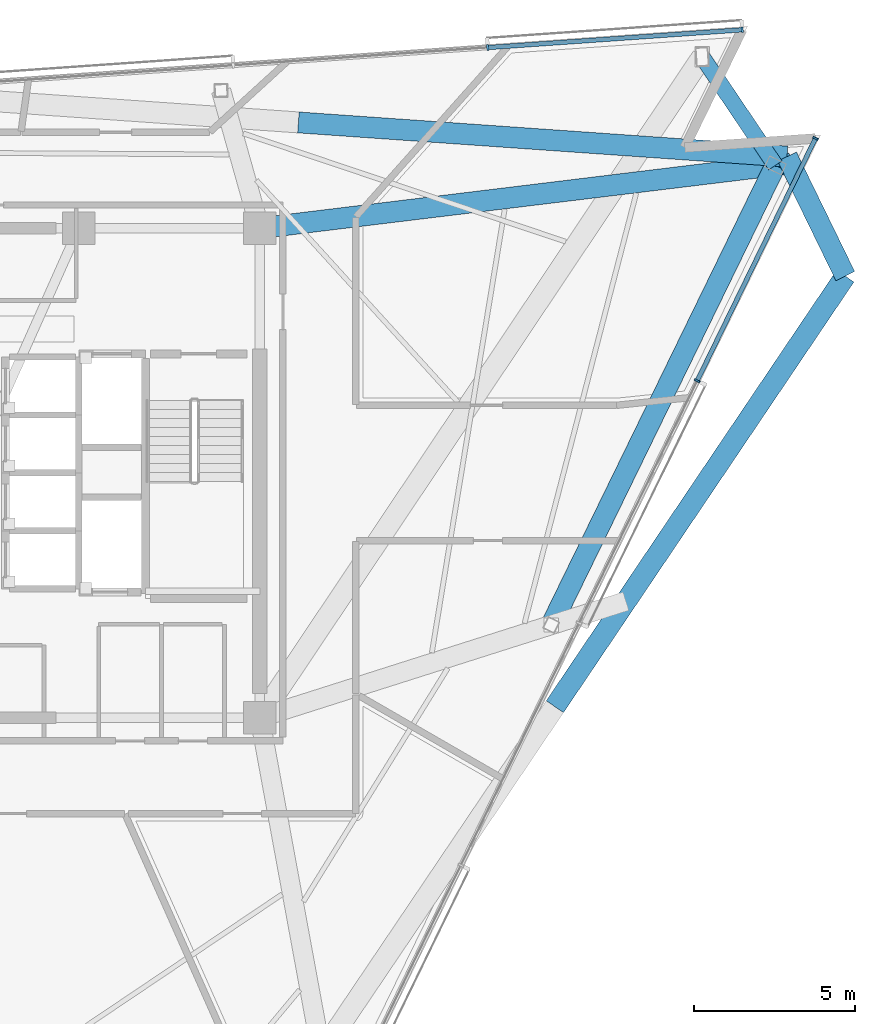
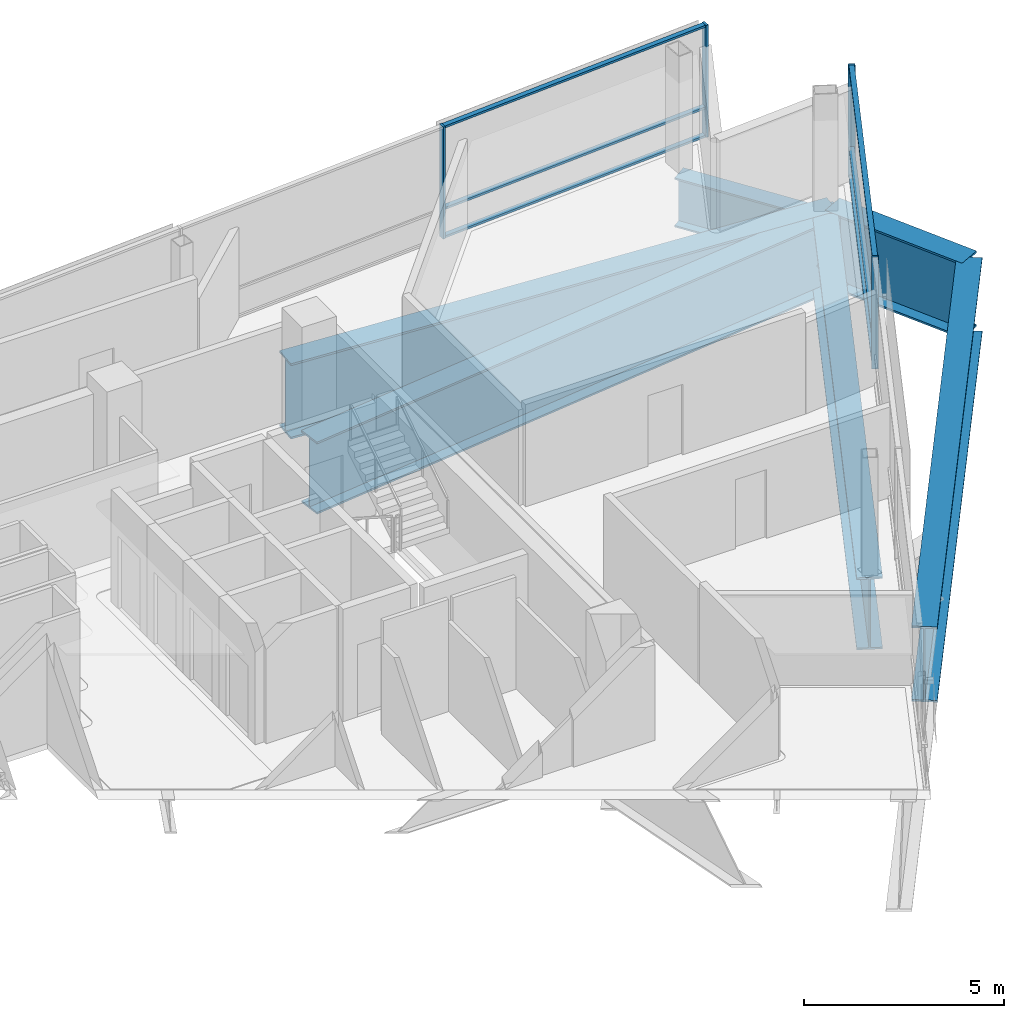
# One storey, part 8 of 17: 10 members, 6 beams, 2 elements without a shape of their own.
"""IFC4 building model written with IfcOpenShell, lengths in metres."""

import ifcopenshell
import ifcopenshell.guid

model = None  # the IFC model being written
_history = None  # IfcOwnerHistory: only IFC2X3 demands one
_inside = {}  # id of a spatial element -> (the spatial element, [elements in it])
_under = {}  # id of a project, library or spatial element -> (it, [spatial elements below it])
_declared = {}  # id of a project -> (the project, [libraries it declares])
_typed = {}  # id of a type object -> (the type object, [elements of that type])
_made_of = {}  # id of a material, layer set ... -> (it, [elements and type objects made of it])


def new_model(schema):
    """Start an empty IFC model of exactly this schema.

    Asked for "IFC4X3", IfcOpenShell would pick the latest addendum, in which some entities
    have other attributes; the version numbers below select the first issue.
    IFC2X3 requires an IfcOwnerHistory on every rooted entity: one is made here for all.
    """
    global model, _history
    if schema == "IFC4X3":
        model = ifcopenshell.file(schema_version=(4, 3, 0, 0))
    else:
        model = ifcopenshell.file(schema=schema)
    _inside.clear()
    _under.clear()
    _declared.clear()
    _typed.clear()
    _made_of.clear()
    _history = None
    if model.schema == "IFC2X3":
        org = make("IfcOrganization", Name="unknown")
        user = make(
            "IfcPersonAndOrganization",
            ThePerson=make("IfcPerson", FamilyName="unknown"),
            TheOrganization=org,
        )
        app = make(
            "IfcApplication",
            ApplicationDeveloper=org,
            Version="unknown",
            ApplicationFullName="unknown",
            ApplicationIdentifier="unknown",
        )
        _history = make(
            "IfcOwnerHistory",
            OwningUser=user,
            OwningApplication=app,
            ChangeAction="ADDED",
            CreationDate=0,
        )
    return model


def make(cls, **values):
    """One entity of the class cls with the attributes given. An attribute that is None is left unset."""
    return model.create_entity(
        cls, **{name: value for name, value in values.items() if value is not None}
    )


def rooted(cls, **values):
    """An entity with a GlobalId (a new one), such as an element, a storey or a relation."""
    return make(cls, GlobalId=ifcopenshell.guid.new(), OwnerHistory=_history, **values)


def si_unit(unit_type, name, prefix=None):
    """IfcSIUnit, for example si_unit("LENGTHUNIT", "METRE", prefix="MILLI")."""
    return make("IfcSIUnit", UnitType=unit_type, Prefix=prefix, Name=name)


def assignment(units):
    """IfcUnitAssignment: the units of a project."""
    return None if units is None else make("IfcUnitAssignment", Units=units)


def point(xyz):
    """IfcCartesianPoint."""
    return None if xyz is None else make("IfcCartesianPoint", Coordinates=xyz)


def direction(xyz):
    """IfcDirection."""
    return None if xyz is None else make("IfcDirection", DirectionRatios=xyz)


def frame(location, z_axis=None, x_axis=None):
    """IfcAxis2Placement3D, a coordinate frame: its origin and axes. An axis left out is left unset."""
    return make(
        "IfcAxis2Placement3D",
        Location=point(location),
        Axis=direction(z_axis),
        RefDirection=direction(x_axis),
    )


def frame_2d(location, x_axis=None):
    """IfcAxis2Placement2D, a coordinate frame in the plane: its origin and x axis."""
    return make(
        "IfcAxis2Placement2D", Location=point(location), RefDirection=direction(x_axis)
    )


def origin():
    """The frame at (0, 0, 0) with its axes left unset."""
    return frame((0.0, 0.0, 0.0))


def origin_2d():
    """The frame at (0, 0) in the plane with its x axis left unset."""
    return frame_2d((0.0, 0.0))


def place(relative_to, where):
    """IfcLocalPlacement: puts the frame where relative to a parent placement (None: the world)."""
    return make(
        "IfcLocalPlacement", PlacementRelTo=relative_to, RelativePlacement=where
    )


def context(
    kind, dimensions, precision=None, world=None, true_north=None, identifier=None
):
    """IfcGeometricRepresentationContext, for example the 3D "Model" context."""
    return make(
        "IfcGeometricRepresentationContext",
        ContextIdentifier=identifier,
        ContextType=kind,
        CoordinateSpaceDimension=dimensions,
        Precision=precision,
        WorldCoordinateSystem=world,
        TrueNorth=true_north,
    )


def subcontext(parent, identifier, kind, view, scale=None):
    """IfcGeometricRepresentationSubContext, for example "Body" below "Model"."""
    return make(
        "IfcGeometricRepresentationSubContext",
        ContextIdentifier=identifier,
        ContextType=kind,
        ParentContext=parent,
        TargetScale=scale,
        TargetView=view,
    )


def project(units=None, contexts=None):
    """IfcProject with its units and contexts."""
    return rooted(
        "IfcProject",
        Name="project",
        RepresentationContexts=contexts,
        UnitsInContext=assignment(units),
    )


def spatial(cls, under=None, at=None, **own):
    """A site, building, storey or space (cls), placed at a placement, below another one or the project."""
    s = rooted(cls, ObjectPlacement=at, **own)
    if under is not None:
        _under.setdefault(under.id(), (under, []))[1].append(s)
    return s


def profile(cls, at=None, kind="AREA", **sizes):
    """A parametric profile (cls). Its sizes go by their IFC names, for example OverallWidth=200.0."""
    return make(cls, ProfileType=kind, Position=at, **sizes)


def rectangle(**sizes):
    """IfcRectangleProfileDef."""
    return profile("IfcRectangleProfileDef", **sizes)


def i_section(**sizes):
    """IfcIShapeProfileDef."""
    return profile("IfcIShapeProfileDef", **sizes)


def extrude(swept, where, along, depth):
    """IfcExtrudedAreaSolid: the profile swept, set in the frame where, extruded along a direction by depth."""
    return make(
        "IfcExtrudedAreaSolid",
        SweptArea=swept,
        Position=where,
        ExtrudedDirection=direction(along),
        Depth=depth,
    )


def shape(context_of_items, identifier, shape_type, items):
    """IfcShapeRepresentation: the items that make up one representation, for example the "Body"."""
    return make(
        "IfcShapeRepresentation",
        ContextOfItems=context_of_items,
        RepresentationIdentifier=identifier,
        RepresentationType=shape_type,
        Items=items,
    )


def material(Name=None, Category=None):
    """IfcMaterial."""
    return make("IfcMaterial", Name=Name, Category=Category)


def layer(
    of_material, thickness, ventilated=None, Name=None, Category=None, Priority=None
):
    """IfcMaterialLayer: one layer of a wall or slab, of a material (None: an air gap)."""
    return make(
        "IfcMaterialLayer",
        Material=of_material,
        LayerThickness=thickness,
        IsVentilated=ventilated,
        Name=Name,
        Category=Category,
        Priority=Priority,
    )


def layer_set(layers, Name=None):
    """IfcMaterialLayerSet."""
    return make("IfcMaterialLayerSet", MaterialLayers=layers, LayerSetName=Name)


def material_profile(
    of_material, cross_section, Name=None, Category=None, Priority=None
):
    """IfcMaterialProfile: a cross section and its material."""
    return make(
        "IfcMaterialProfile",
        Name=Name,
        Material=of_material,
        Profile=cross_section,
        Priority=Priority,
        Category=Category,
    )


def profile_set(profiles, Name=None, composite=None):
    """IfcMaterialProfileSet."""
    return make(
        "IfcMaterialProfileSet",
        Name=Name,
        MaterialProfiles=profiles,
        CompositeProfile=composite,
    )


def made_of(thing, what):
    """Note that an element or type object is made of a material, layer set ...; save() writes the relation."""
    if what is not None:
        _made_of.setdefault(what.id(), (what, []))[1].append(thing)
    return thing


def type_object(cls, material=None, **own):
    """A type object (cls), such as IfcWallType, which elements share."""
    return made_of(rooted(cls, **own), material)


def element(
    cls,
    number,
    at=None,
    inside=None,
    cuts=None,
    type_object=None,
    material=None,
    context=None,
    identifier="Body",
    shape_type=None,
    held_by="IfcProductDefinitionShape",
    body=None,
    shapes=None,
    **own,
):
    """One element of the class cls, such as IfcWall. Its Tag is "e" and its number.

    at: its placement. inside: the storey or other place that contains it. cuts: it is an
    opening in that element (IfcRelVoidsElement). A single representation is given by context,
    identifier, shape_type and body (its items); several are given by shapes. held_by: the class
    of the entity that holds the representations. save() writes the other relations.
    """
    e = rooted(cls, Tag="e%d" % number, ObjectPlacement=at, **own)
    if body is not None:
        shapes = [shape(context, identifier, shape_type, body)]
    if shapes is not None:
        e.Representation = make(held_by, Representations=shapes)
    if inside is not None:
        _inside.setdefault(inside.id(), (inside, []))[1].append(e)
    if cuts is not None:
        rooted(
            "IfcRelVoidsElement", RelatingBuildingElement=cuts, RelatedOpeningElement=e
        )
    if type_object is not None:
        _typed.setdefault(type_object.id(), (type_object, []))[1].append(e)
    return made_of(e, material)


def aggregate(whole, parts):
    """IfcRelAggregates: a whole, such as a stair, and the parts it consists of."""
    return rooted("IfcRelAggregates", RelatingObject=whole, RelatedObjects=parts)


def save(model, path):
    """Write the relations noted so far, then the file.

    IfcRelAggregates (storeys below a building ...), IfcRelContainedInSpatialStructure (elements
    in a storey), IfcRelDefinesByType, IfcRelAssociatesMaterial and IfcRelDeclares: one each for
    every whole, place, type object, material and project.
    """
    for whole, parts in _under.values():
        aggregate(whole, parts)
    for where, things in _inside.values():
        rooted(
            "IfcRelContainedInSpatialStructure",
            RelatedElements=things,
            RelatingStructure=where,
        )
    for kind, things in _typed.values():
        rooted("IfcRelDefinesByType", RelatedObjects=things, RelatingType=kind)
    for what, things in _made_of.values():
        rooted("IfcRelAssociatesMaterial", RelatedObjects=things, RelatingMaterial=what)
    for by, libraries in _declared.values():
        rooted("IfcRelDeclares", RelatingContext=by, RelatedDefinitions=libraries)
    model.write(path)


model = new_model("IFC4")

# Units and contexts
model_context = context("Model", 3, precision=1e-05, world=origin(), true_north=direction((0.0, 1.0)))
body_context = subcontext(model_context, "Body", "Model", "MODEL_VIEW")
ifc_project = project(units=[si_unit("LENGTHUNIT", "METRE"), si_unit("AREAUNIT", "SQUARE_METRE"), si_unit("VOLUMEUNIT", "CUBIC_METRE"), si_unit("PLANEANGLEUNIT", "RADIAN"), si_unit("MASSUNIT", "GRAM", prefix="KILO")], contexts=[model_context])

# Site, building, storey
site_placement = place(None, origin())
site = spatial("IfcSite", under=ifc_project, at=site_placement, CompositionType="ELEMENT")
building_placement = place(site_placement, origin())
building = spatial("IfcBuilding", under=site, at=building_placement, Name="Tharavind Bronze Gate", CompositionType="ELEMENT")
storey_placement = place(building_placement, frame((0.0, 0.0, 253.39990234375)))
storey = spatial("IfcBuildingStorey", under=building, at=storey_placement, Name="L65", CompositionType="ELEMENT", Elevation=253.39990234375)

# Curtain wall, members
ifc_material_1 = material(Name="Anodised Bronze Aluminium", Category="aluminium")
ifc_layer = layer(ifc_material_1, 0.219970703125)
ifc_layer_set = layer_set([ifc_layer], Name="Anodised Bronze Aluminium")
curtain_wall_type = type_object("IfcCurtainWallType", Name="UNITISED CURTAIN WALL UPPER OFFICE", PredefinedType="USERDEFINED", material=ifc_layer_set)
curtain_wall_1_placement = place(storey_placement, origin())
curtain_wall_1 = element("IfcCurtainWall", 1, at=curtain_wall_1_placement, inside=storey, type_object=curtain_wall_type, Name="L65 unitised curtain wall upper office CW-L65-S2", ObjectType="UNITISED CURTAIN WALL", PredefinedType="USERDEFINED")
member_type_1 = type_object("IfcMemberType", Name="CURTAIN WALL BRONZE MULLION 65X180", PredefinedType="MULLION", material=ifc_material_1)
member_1_placement = place(storey_placement, frame((22.485107421875, 2.863525390625, 0.000244140625), z_axis=(0.0, 0.0, 1.0), x_axis=(0.43837271548, 0.898793281196, 0.0)))
member_1 = element("IfcMember", 2, at=member_1_placement, type_object=member_type_1, Name="CW-L65-S2 mullion 6", PredefinedType="MULLION", context=body_context, shape_type="SweptSolid", body=[
    extrude(rectangle(XDim=0.06494140625, YDim=0.179931640625, at=origin_2d()), origin(), (0.0, 0.0, 1.0), 3.419921875),
])
member_2_placement = place(storey_placement, frame((26.1552734375, 10.388427734375, 0.000244140625), z_axis=(0.0, 0.0, 1.0), x_axis=(0.43837271548, 0.898793281196, 0.0)))
member_2 = element("IfcMember", 3, at=member_2_placement, type_object=member_type_1, Name="CW-L65-S2 mullion 7", PredefinedType="MULLION", context=body_context, shape_type="SweptSolid", body=[
    extrude(rectangle(XDim=0.06494140625, YDim=0.179931640625, at=origin_2d()), origin(), (0.0, 0.0, 1.0), 3.419921875),
])

curtain_wall_2_placement = place(storey_placement, origin())
curtain_wall_2 = element("IfcCurtainWall", 4, at=curtain_wall_2_placement, inside=storey, type_object=curtain_wall_type, Name="L65 unitised curtain wall upper office CW-L65-S3", ObjectType="UNITISED CURTAIN WALL", PredefinedType="USERDEFINED")
member_3_placement = place(storey_placement, frame((23.880615234375, 13.760986328125, 0.000244140625), z_axis=(0.0, 0.0, 1.0), x_axis=(-0.997563806758, -0.069759955899, 0.0)))
member_3 = element("IfcMember", 5, at=member_3_placement, type_object=member_type_1, Name="CW-L65-S3 mullion 1", PredefinedType="MULLION", context=body_context, shape_type="SweptSolid", body=[
    extrude(rectangle(XDim=0.06494140625, YDim=0.179931640625, at=origin_2d()), origin(), (0.0, 0.0, 1.0), 3.419921875),
])
member_4_placement = place(storey_placement, frame((15.9794921875, 13.20849609375, 0.000244140625), z_axis=(0.0, 0.0, 1.0), x_axis=(-0.997563806758, -0.069759955899, 0.0)))
member_4 = element("IfcMember", 6, at=member_4_placement, type_object=member_type_1, Name="CW-L65-S3 mullion 2", PredefinedType="MULLION", context=body_context, shape_type="SweptSolid", body=[
    extrude(rectangle(XDim=0.06494140625, YDim=0.179931640625, at=origin_2d()), origin(), (0.0, 0.0, 1.0), 3.419921875),
])

# Member
member_type_2 = type_object("IfcMemberType", Name="CURTAIN WALL BRONZE TRANSOM 65X140", PredefinedType="USERDEFINED", material=ifc_material_1)
member_5_placement = place(storey_placement, frame((24.3203125, 6.6259765625, 0.000244140625), z_axis=(0.0, 0.0, 1.0), x_axis=(0.43837271548, 0.898793281196, 0.0)))
member_5 = element("IfcMember", 7, at=member_5_placement, type_object=member_type_2, Name="CW-L65-S2 transom TB6", ObjectType="TRANSOM", PredefinedType="USERDEFINED", context=body_context, shape_type="SweptSolid", body=[
    extrude(rectangle(XDim=8.3193359375, YDim=0.139892578125, at=origin_2d()), origin(), (0.0, 0.0, 1.0), 0.06494140625),
])

member_6_placement = place(storey_placement, frame((24.3203125, 6.6259765625, 0.86767578125), z_axis=(0.0, 0.0, 1.0), x_axis=(0.43837271548, 0.898793281196, 0.0)))
member_6 = element("IfcMember", 8, at=member_6_placement, type_object=member_type_2, Name="CW-L65-S2 transom TS6", ObjectType="TRANSOM", PredefinedType="USERDEFINED", context=body_context, shape_type="SweptSolid", body=[
    extrude(rectangle(XDim=8.3193359375, YDim=0.139892578125, at=origin_2d()), origin(), (0.0, 0.0, 1.0), 0.06494140625),
])

member_7_placement = place(storey_placement, frame((24.3203125, 6.6259765625, 3.355224609375), z_axis=(0.0, 0.0, 1.0), x_axis=(0.43837271548, 0.898793281196, 0.0)))
member_7 = element("IfcMember", 9, at=member_7_placement, type_object=member_type_2, Name="CW-L65-S2 transom TT6", ObjectType="TRANSOM", PredefinedType="USERDEFINED", context=body_context, shape_type="SweptSolid", body=[
    extrude(rectangle(XDim=8.3193359375, YDim=0.139892578125, at=origin_2d()), origin(), (0.0, 0.0, 1.0), 0.06494140625),
])

aggregate(curtain_wall_1, [member_1, member_2, member_5, member_6, member_7])

member_8_placement = place(storey_placement, frame((19.929931640625, 13.48486328125, 0.000244140625), z_axis=(0.0, 0.0, 1.0), x_axis=(-0.997563806758, -0.069759955899, 0.0)))
member_8 = element("IfcMember", 10, at=member_8_placement, type_object=member_type_2, Name="CW-L65-S3 transom TB1", ObjectType="TRANSOM", PredefinedType="USERDEFINED", context=body_context, shape_type="SweptSolid", body=[
    extrude(rectangle(XDim=7.8671875, YDim=0.139892578125, at=origin_2d()), origin(), (0.0, 0.0, 1.0), 0.06494140625),
])

member_9_placement = place(storey_placement, frame((19.929931640625, 13.48486328125, 0.86767578125), z_axis=(0.0, 0.0, 1.0), x_axis=(-0.997563806758, -0.069759955899, 0.0)))
member_9 = element("IfcMember", 11, at=member_9_placement, type_object=member_type_2, Name="CW-L65-S3 transom TS1", ObjectType="TRANSOM", PredefinedType="USERDEFINED", context=body_context, shape_type="SweptSolid", body=[
    extrude(rectangle(XDim=7.8671875, YDim=0.139892578125, at=origin_2d()), origin(), (0.0, 0.0, 1.0), 0.06494140625),
])

member_10_placement = place(storey_placement, frame((19.929931640625, 13.48486328125, 3.355224609375), z_axis=(0.0, 0.0, 1.0), x_axis=(-0.997563806758, -0.069759955899, 0.0)))
member_10 = element("IfcMember", 12, at=member_10_placement, type_object=member_type_2, Name="CW-L65-S3 transom TT1", ObjectType="TRANSOM", PredefinedType="USERDEFINED", context=body_context, shape_type="SweptSolid", body=[
    extrude(rectangle(XDim=7.8671875, YDim=0.139892578125, at=origin_2d()), origin(), (0.0, 0.0, 1.0), 0.06494140625),
])

aggregate(curtain_wall_2, [member_3, member_4, member_8, member_9, member_10])

# Beams
ifc_material_2 = material(Name="Steel S460", Category="steel")
ifc_material_profile_1 = material_profile(ifc_material_2, i_section(OverallWidth=0.5, OverallDepth=1.5, WebThickness=0.028076171875, FlangeThickness=0.050048828125, at=origin_2d()), Name="PG1500X500")
ifc_profile_set_1 = profile_set([ifc_material_profile_1], Name="Steel S460")
beam_type_1 = type_object("IfcBeamType", Name="TRANSFER GIRDER 1500X500", PredefinedType="USERDEFINED", material=ifc_profile_set_1)
beam_1_placement = place(storey_placement, frame((24.91162109375, 9.5498046875, -0.93994140625), z_axis=(-0.559165651986, 0.829055953262, 0.0), x_axis=(-0.829055953262, -0.559165651986, 0.0)))
element("IfcBeam", 13, at=beam_1_placement, inside=storey, type_object=beam_type_1, Name="L65 transfer girder 1500x500 BM-L65-URG08", ObjectType="TRANSFER GIRDER", PredefinedType="USERDEFINED", context=body_context, shape_type="SweptSolid", body=[
    extrude(i_section(OverallWidth=0.5, OverallDepth=1.5, WebThickness=0.028076171875, FlangeThickness=0.050048828125, at=origin_2d()), origin(), (0.0, 0.0, 1.0), 4.06787109375),
])
ifc_material_profile_2 = material_profile(ifc_material_2, i_section(OverallWidth=0.64990234375, OverallDepth=2.199951171875, WebThickness=0.035888671875, FlangeThickness=0.054931640625, at=origin_2d()), Name="PG2200X650")
ifc_profile_set_2 = profile_set([ifc_material_profile_2], Name="Steel S460")
beam_type_2 = type_object("IfcBeamType", Name="TRANSFER GIRDER 2200X650", PredefinedType="USERDEFINED", material=ifc_profile_set_2)
beam_2_placement = place(storey_placement, frame((17.950927734375, -4.721923828125, -1.289794921875), z_axis=(0.438366378116, 0.898796372121, 0.0), x_axis=(-0.898796372121, 0.438366378116, 0.0)))
element("IfcBeam", 14, at=beam_2_placement, inside=storey, type_object=beam_type_2, Name="L65 transfer girder 2200x650 BM-L65-URG07", ObjectType="TRANSFER GIRDER", PredefinedType="USERDEFINED", context=body_context, shape_type="SweptSolid", body=[
    extrude(i_section(OverallWidth=0.64990234375, OverallDepth=2.199951171875, WebThickness=0.035888671875, FlangeThickness=0.054931640625, at=origin_2d()), origin(), (0.0, 0.0, 1.0), 15.878662109375),
])
beam_3_placement = place(storey_placement, frame((8.89990234375, 7.60009765625, -1.289794921875), z_axis=(0.992669006586, 0.120864566207, 0.0), x_axis=(-0.120864566207, 0.992669006586, 0.0)))
element("IfcBeam", 15, at=beam_3_placement, inside=storey, type_object=beam_type_2, Name="L65 transfer girder 2200x650 BM-L65-XFR08", ObjectType="TRANSFER GIRDER", PredefinedType="USERDEFINED", context=body_context, shape_type="SweptSolid", body=[
    extrude(i_section(OverallWidth=0.64990234375, OverallDepth=2.199951171875, WebThickness=0.035888671875, FlangeThickness=0.054931640625, at=origin_2d()), origin(), (0.0, 0.0, 1.0), 16.599853515625),
])
ifc_material_profile_3 = material_profile(ifc_material_2, i_section(OverallWidth=0.64990234375, OverallDepth=2.300048828125, WebThickness=0.035888671875, FlangeThickness=0.05810546875, at=origin_2d()), Name="PG2300X650")
ifc_profile_set_3 = profile_set([ifc_material_profile_3], Name="Steel S460")
beam_type_3 = type_object("IfcBeamType", Name="TRANSFER GIRDER 2300X650", PredefinedType="USERDEFINED", material=ifc_profile_set_3)
beam_4_placement = place(storey_placement, frame((18.06396484375, -7.2578125, -1.33984375), z_axis=(0.559188128577, 0.829040793241, 0.0), x_axis=(-0.829040793241, 0.559188128577, 0.0)))
element("IfcBeam", 16, at=beam_4_placement, inside=storey, type_object=beam_type_3, Name="L65 transfer girder 2300x650 BM-L65-LRG07", ObjectType="TRANSFER GIRDER", PredefinedType="USERDEFINED", context=body_context, shape_type="SweptSolid", body=[
    extrude(i_section(OverallWidth=0.64990234375, OverallDepth=2.300048828125, WebThickness=0.035888671875, FlangeThickness=0.05810546875, at=origin_2d()), origin(), (0.0, 0.0, 1.0), 16.12744140625),
])
beam_5_placement = place(storey_placement, frame((27.082275390625, 6.112548828125, -1.33984375), z_axis=(-0.438367699713, 0.898795727542, 0.0), x_axis=(-0.898795727542, -0.438367699713, 0.0)))
element("IfcBeam", 17, at=beam_5_placement, inside=storey, type_object=beam_type_3, Name="L65 transfer girder 2300x650 BM-L65-LRG08", ObjectType="TRANSFER GIRDER", PredefinedType="USERDEFINED", context=body_context, shape_type="SweptSolid", body=[
    extrude(i_section(OverallWidth=0.64990234375, OverallDepth=2.300048828125, WebThickness=0.035888671875, FlangeThickness=0.05810546875, at=origin_2d()), origin(), (0.0, 0.0, 1.0), 4.1279296875),
])
beam_6_placement = place(storey_placement, frame((25.272705078125, 9.82275390625, -1.33984375), z_axis=(-0.997563917828, 0.069758367582, 0.0), x_axis=(-0.069758367582, -0.997563917828, 0.0)))
element("IfcBeam", 18, at=beam_6_placement, inside=storey, type_object=beam_type_3, Name="L65 transfer girder 2300x650 BM-L65-LRG09", ObjectType="TRANSFER GIRDER", PredefinedType="USERDEFINED", context=body_context, shape_type="SweptSolid", body=[
    extrude(i_section(OverallWidth=0.64990234375, OverallDepth=2.300048828125, WebThickness=0.035888671875, FlangeThickness=0.05810546875, at=origin_2d()), origin(), (0.0, 0.0, 1.0), 15.210205078125),
])

save(model, "model.ifc")
